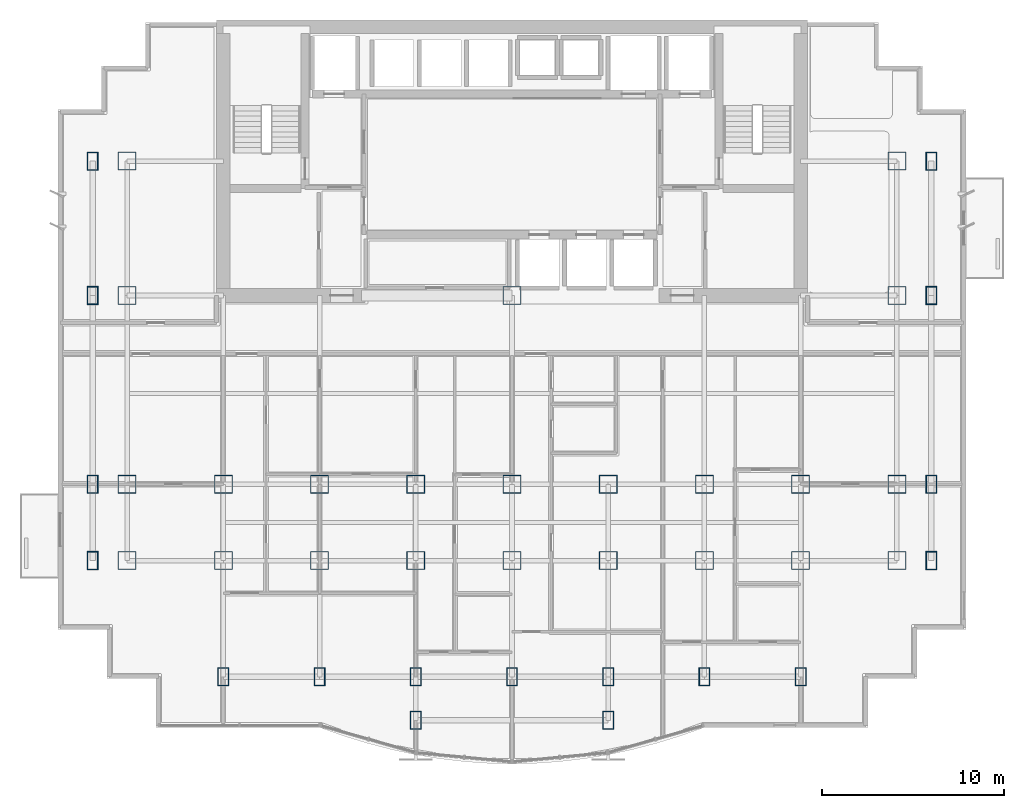
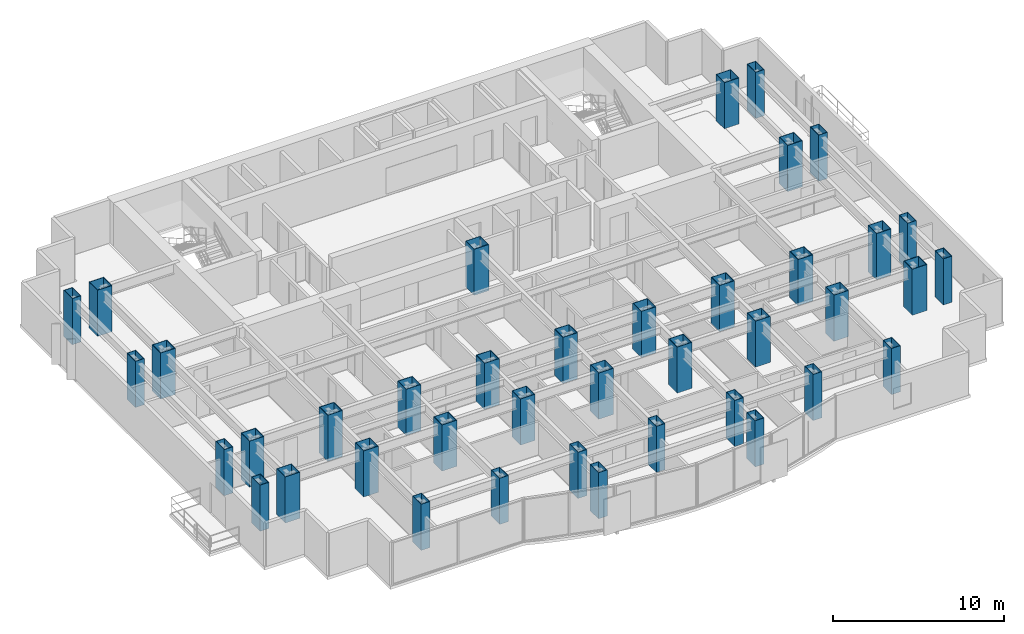
# One storey, part 1 of 10: 40 columns.
"""IFC4 building model written with IfcOpenShell, lengths in metres."""

from ifc_helpers import new_model, si_unit, direction, frame, origin, origin_2d, place, context, subcontext, project, spatial, hollow_rectangle, extrude, material, material_profile, profile_set, type_object, element, save


model = new_model("IFC4")

# Units and contexts
model_context = context("Model", 3, precision=1e-05, world=origin(), true_north=direction((0.0, 1.0)))
body_context = subcontext(model_context, "Body", "Model", "MODEL_VIEW")
ifc_project = project(units=[si_unit("LENGTHUNIT", "METRE"), si_unit("AREAUNIT", "SQUARE_METRE"), si_unit("VOLUMEUNIT", "CUBIC_METRE"), si_unit("PLANEANGLEUNIT", "RADIAN"), si_unit("MASSUNIT", "GRAM", prefix="KILO")], contexts=[model_context])

# Site, building, storey
site_placement = place(None, origin())
site = spatial("IfcSite", under=ifc_project, at=site_placement, CompositionType="ELEMENT")
building_placement = place(site_placement, origin())
building = spatial("IfcBuilding", under=site, at=building_placement, Name="Qianlan Lanfeng Residences", CompositionType="ELEMENT")
storey_placement = place(building_placement, frame((0.0, 0.0, 94.89990234375)))
storey = spatial("IfcBuildingStorey", under=building, at=storey_placement, Name="L25", CompositionType="ELEMENT", Elevation=94.89990234375)

# Columns
ifc_material = material(Name="Steel SN490B", Category="steel")
ifc_material_profile_1 = material_profile(ifc_material, hollow_rectangle(XDim=1.0, YDim=1.0, WallThickness=0.035888671875, at=origin_2d()), Name="BOX 1000x1000x36")
ifc_profile_set_1 = profile_set([ifc_material_profile_1], Name="Steel SN490B")
column_type_1 = type_object("IfcColumnType", Name="C-B1200", PredefinedType="COLUMN", material=ifc_profile_set_1)
for number, where, z_axis, x_axis, name in (
    (1, (26.5, 25.199951171875, 0.0), (0.0, 0.0, 1.0), (1.0, 0.0, 0.0), "L25 Structural Column CP_26.5_25.2"),
    (2, (10.60009765625, 14.800048828125, 0.0), (0.0, 0.0, 1.0), (1.0, 0.0, 0.0), "L25 Structural Column M_10.60_14.80"),
    (3, (10.60009765625, 10.60009765625, 0.0), (0.0, 0.0, 1.0), (1.0, 0.0, 0.0), "L25 Structural Column G_10.60_10.60"),
    (4, (15.89990234375, 14.800048828125, 0.0), (0.0, 0.0, 1.0), (1.0, 0.0, 0.0), "L25 Structural Column M_15.90_14.80"),
    (5, (15.89990234375, 10.60009765625, 0.0), (0.0, 0.0, 1.0), (1.0, 0.0, 0.0), "L25 Structural Column G_15.90_10.60"),
    (6, (21.199951171875, 14.800048828125, 0.0), (0.0, 0.0, 1.0), (1.0, 0.0, 0.0), "L25 Structural Column M_21.20_14.80"),
    (7, (21.199951171875, 10.60009765625, 0.0), (0.0, 0.0, 1.0), (1.0, 0.0, 0.0), "L25 Structural Column G_21.20_10.60"),
    (8, (26.5, 14.800048828125, 0.0), (0.0, 0.0, 1.0), (1.0, 0.0, 0.0), "L25 Structural Column M_26.50_14.80"),
    (9, (26.5, 10.60009765625, 0.0), (0.0, 0.0, 1.0), (1.0, 0.0, 0.0), "L25 Structural Column G_26.50_10.60"),
    (10, (31.800048828125, 14.800048828125, 0.0), (0.0, 0.0, 1.0), (1.0, 0.0, 0.0), "L25 Structural Column M_31.80_14.80"),
    (11, (31.800048828125, 10.60009765625, 0.0), (0.0, 0.0, 1.0), (1.0, 0.0, 0.0), "L25 Structural Column G_31.80_10.60"),
    (12, (37.10009765625, 14.800048828125, 0.0), (0.0, 0.0, 1.0), (1.0, 0.0, 0.0), "L25 Structural Column M_37.10_14.80"),
    (13, (37.10009765625, 10.60009765625, 0.0), (0.0, 0.0, 1.0), (1.0, 0.0, 0.0), "L25 Structural Column G_37.10_10.60"),
    (14, (42.39990234375, 14.800048828125, 0.0), (0.0, 0.0, 1.0), (1.0, 0.0, 0.0), "L25 Structural Column M_42.40_14.80"),
    (15, (42.39990234375, 10.60009765625, 0.0), (0.0, 0.0, 1.0), (1.0, 0.0, 0.0), "L25 Structural Column G_42.40_10.60"),
    (16, (5.300048828125, 10.60009765625, 0.0), (0.0, 0.0, 1.0), (1.0, 0.0, 0.0), "L25 Structural Column W_5.30_10.60"),
    (17, (5.300048828125, 14.800048828125, 0.0), (0.0, 0.0, 1.0), (1.0, 0.0, 0.0), "L25 Structural Column W_5.30_14.80"),
    (18, (5.300048828125, 25.199951171875, 0.0), (0.0, 0.0, 1.0), (1.0, 0.0, 0.0), "L25 Structural Column W_5.30_25.20"),
    (19, (5.300048828125, 32.60009765625, 0.0), (0.0, 0.0, 1.0), (1.0, 0.0, 0.0), "L25 Structural Column W_5.30_32.60"),
    (20, (47.699951171875, 10.60009765625, 0.0), (0.0, 0.0, 1.0), (1.0, 0.0, 0.0), "L25 Structural Column W_47.70_10.60"),
    (21, (47.699951171875, 14.800048828125, 0.0), (0.0, 0.0, 1.0), (1.0, 0.0, 0.0), "L25 Structural Column W_47.70_14.80"),
    (22, (47.699951171875, 25.199951171875, 0.0), (0.0, 0.0, 1.0), (1.0, 0.0, 0.0), "L25 Structural Column W_47.70_25.20"),
    (23, (47.699951171875, 32.60009765625, 0.0), (0.0, 0.0, 1.0), (1.0, 0.0, 0.0), "L25 Structural Column W_47.70_32.60"),
):
    element("IfcColumn", number, at=place(storey_placement, frame(where, z_axis=z_axis, x_axis=x_axis)), inside=storey, type_object=column_type_1, Name=name, PredefinedType="COLUMN", context=body_context, shape_type="SweptSolid", body=[
        extrude(hollow_rectangle(XDim=1.0, YDim=1.0, WallThickness=0.035888671875, at=origin_2d()), origin(), (0.0, 0.0, 1.0), 3.300048828125),
    ])
ifc_material_profile_2 = material_profile(ifc_material, hollow_rectangle(XDim=0.60009765625, YDim=1.0, WallThickness=0.031982421875, at=origin_2d()), Name="BOX 1000x600x32")
ifc_profile_set_2 = profile_set([ifc_material_profile_2], Name="Steel SN490B")
column_type_2 = type_object("IfcColumnType", Name="CE-B1100", PredefinedType="COLUMN", material=ifc_profile_set_2)
for number, where, z_axis, x_axis, name in (
    (24, (21.199951171875, 1.800048828125, 0.0), (0.0, 0.0, 1.0), (1.0, 0.0, 0.0), "L25 Structural Column P_21.20_1.80"),
    (25, (31.800048828125, 1.800048828125, 0.0), (0.0, 0.0, 1.0), (1.0, 0.0, 0.0), "L25 Structural Column P_31.80_1.80"),
    (26, (10.60009765625, 4.199951171875, 0.0), (0.0, 0.0, 1.0), (1.0, 0.0, 0.0), "L25 Structural Column S_10.60_4.20"),
    (27, (15.89990234375, 4.199951171875, 0.0), (0.0, 0.0, 1.0), (1.0, 0.0, 0.0), "L25 Structural Column S_15.90_4.20"),
    (28, (21.199951171875, 4.199951171875, 0.0), (0.0, 0.0, 1.0), (1.0, 0.0, 0.0), "L25 Structural Column S_21.20_4.20"),
    (29, (26.5, 4.199951171875, 0.0), (0.0, 0.0, 1.0), (1.0, 0.0, 0.0), "L25 Structural Column S_26.50_4.20"),
    (30, (31.800048828125, 4.199951171875, 0.0), (0.0, 0.0, 1.0), (1.0, 0.0, 0.0), "L25 Structural Column S_31.80_4.20"),
    (31, (37.10009765625, 4.199951171875, 0.0), (0.0, 0.0, 1.0), (1.0, 0.0, 0.0), "L25 Structural Column S_37.10_4.20"),
    (32, (42.39990234375, 4.199951171875, 0.0), (0.0, 0.0, 1.0), (1.0, 0.0, 0.0), "L25 Structural Column S_42.40_4.20"),
    (33, (3.39990234375, 10.60009765625, 0.0), (0.0, 0.0, 1.0), (1.0, 0.0, 0.0), "L25 Structural Column W_3.40_10.60"),
    (34, (3.39990234375, 14.800048828125, 0.0), (0.0, 0.0, 1.0), (1.0, 0.0, 0.0), "L25 Structural Column W_3.40_14.80"),
    (35, (3.39990234375, 25.199951171875, 0.0), (0.0, 0.0, 1.0), (1.0, 0.0, 0.0), "L25 Structural Column W_3.40_25.20"),
    (36, (3.39990234375, 32.60009765625, 0.0), (0.0, 0.0, 1.0), (1.0, 0.0, 0.0), "L25 Structural Column W_3.40_32.60"),
    (37, (49.60009765625, 10.60009765625, 0.0), (0.0, 0.0, 1.0), (1.0, 0.0, 0.0), "L25 Structural Column W_49.60_10.60"),
    (38, (49.60009765625, 14.800048828125, 0.0), (0.0, 0.0, 1.0), (1.0, 0.0, 0.0), "L25 Structural Column W_49.60_14.80"),
    (39, (49.60009765625, 25.199951171875, 0.0), (0.0, 0.0, 1.0), (1.0, 0.0, 0.0), "L25 Structural Column W_49.60_25.20"),
    (40, (49.60009765625, 32.60009765625, 0.0), (0.0, 0.0, 1.0), (1.0, 0.0, 0.0), "L25 Structural Column W_49.60_32.60"),
):
    element("IfcColumn", number, at=place(storey_placement, frame(where, z_axis=z_axis, x_axis=x_axis)), inside=storey, type_object=column_type_2, Name=name, PredefinedType="COLUMN", context=body_context, shape_type="SweptSolid", body=[
        extrude(hollow_rectangle(XDim=0.60009765625, YDim=1.0, WallThickness=0.031982421875, at=origin_2d()), origin(), (0.0, 0.0, 1.0), 3.300048828125),
    ])

save(model, "model.ifc")
